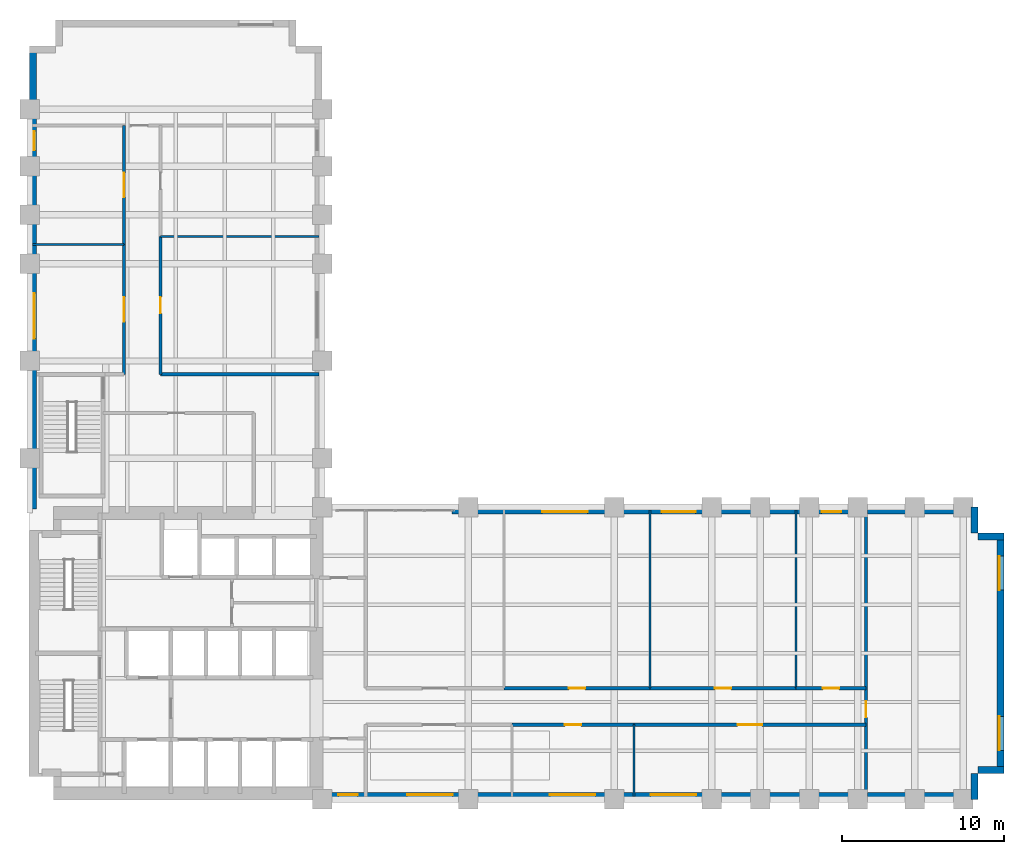
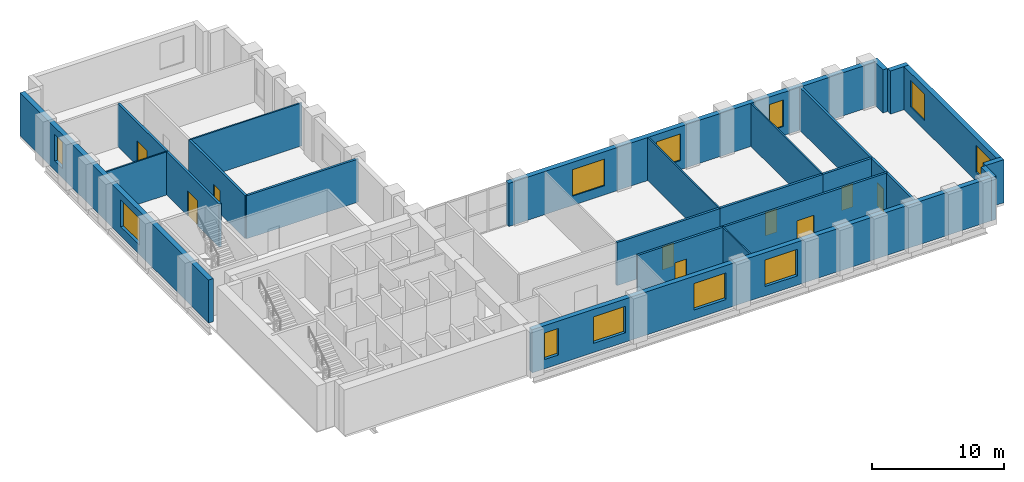
# One storey, part 6 of 8: 23 walls, 11 windows, 9 doors, 20 openings.
"""IFC4 building model written with IfcOpenShell, lengths in metres."""

from ifc_helpers import new_model, si_unit, direction, frame, frame_2d, origin, place, context, subcontext, project, spatial, rectangle, extrude, material, layer, layer_set, type_object, element, fill, save


model = new_model("IFC4")

# Units and contexts
model_context = context("Model", 3, precision=1e-05, world=origin(), true_north=direction((0.0, 1.0)))
body_context = subcontext(model_context, "Body", "Model", "MODEL_VIEW")
ifc_project = project(units=[si_unit("LENGTHUNIT", "METRE"), si_unit("AREAUNIT", "SQUARE_METRE"), si_unit("VOLUMEUNIT", "CUBIC_METRE"), si_unit("PLANEANGLEUNIT", "RADIAN"), si_unit("MASSUNIT", "GRAM", prefix="KILO")], contexts=[model_context])

# Site, building, storey
site_placement = place(None, origin())
site = spatial("IfcSite", under=ifc_project, at=site_placement, CompositionType="ELEMENT")
building_placement = place(site_placement, origin())
building = spatial("IfcBuilding", under=site, at=building_placement, Name="Mawjdan Bourse Tower", CompositionType="ELEMENT")
storey_placement = place(building_placement, frame((0.0, 0.0, 76.199951171875)))
storey = spatial("IfcBuildingStorey", under=building, at=storey_placement, Name="L17", CompositionType="ELEMENT", Elevation=76.199951171875)

# Wall, openings, windows
ifc_material_1 = material(Name="Brick Masonry Buff", Category="masonry")
ifc_layer_1 = layer(ifc_material_1, 0.419921875)
ifc_layer_set_1 = layer_set([ifc_layer_1], Name="Brick Masonry Buff")
wall_type_1 = type_object("IfcWallType", Name="WL-BRK-BUFF-420", PredefinedType="STANDARD", material=ifc_layer_set_1)
wall_1_placement = place(storey_placement, frame((23.89990234375, 3.2099609375, 0.0), z_axis=(0.0, 0.0, 1.0), x_axis=(1.0, 0.0, 0.0)))
wall_1 = element("IfcWall", 1, at=wall_1_placement, inside=storey, type_object=wall_type_1, Name="L17 Exterior Brick Wall 1", PredefinedType="STANDARD", context=body_context, shape_type="SweptSolid", body=[
    extrude(rectangle(XDim=40.5, YDim=0.419921875, at=frame_2d((20.25, 0.0))), origin(), (0.0, 0.0, 1.0), 3.97998046875),
])
opening_1_placement = place(wall_1_placement, frame((1.10009765625, 0.0, 0.85009765625)))
opening_1 = element("IfcOpeningElement", 2, at=opening_1_placement, cuts=wall_1, Name="Opening W-L17-07", PredefinedType="OPENING", context=body_context, shape_type="SweptSolid", body=[
    extrude(rectangle(XDim=1.199951171875, YDim=2.449951171875, at=frame_2d((0.60009765625, 1.22509765625))), frame((0.0, 0.219970703125, 0.0), z_axis=(0.0, -1.0, 0.0), x_axis=(1.0, 0.0, 0.0)), (0.0, 0.0, 1.0), 0.43994140625),
])
opening_2_placement = place(wall_1_placement, frame((5.336181640625, 0.0, 0.85009765625)))
opening_2 = element("IfcOpeningElement", 3, at=opening_2_placement, cuts=wall_1, Name="Opening W-L17-08", PredefinedType="OPENING", context=body_context, shape_type="SweptSolid", body=[
    extrude(rectangle(XDim=2.800048828125, YDim=2.449951171875, at=frame_2d((1.39990234375, 1.22509765625))), frame((0.0, 0.219970703125, 0.0), z_axis=(0.0, -1.0, 0.0), x_axis=(1.0, 0.0, 0.0)), (0.0, 0.0, 1.0), 0.43994140625),
])
opening_3_placement = place(wall_1_placement, frame((14.13623046875, 0.0, 0.85009765625)))
opening_3 = element("IfcOpeningElement", 4, at=opening_3_placement, cuts=wall_1, Name="Opening W-L17-09", PredefinedType="OPENING", context=body_context, shape_type="SweptSolid", body=[
    extrude(rectangle(XDim=2.800048828125, YDim=2.449951171875, at=frame_2d((1.39990234375, 1.22509765625))), frame((0.0, 0.219970703125, 0.0), z_axis=(0.0, -1.0, 0.0), x_axis=(1.0, 0.0, 0.0)), (0.0, 0.0, 1.0), 0.43994140625),
])
opening_4_placement = place(wall_1_placement, frame((20.336181640625, 0.0, 0.85009765625)))
opening_4 = element("IfcOpeningElement", 5, at=opening_4_placement, cuts=wall_1, Name="Opening W-L17-10", PredefinedType="OPENING", context=body_context, shape_type="SweptSolid", body=[
    extrude(rectangle(XDim=2.800048828125, YDim=2.449951171875, at=frame_2d((1.39990234375, 1.22509765625))), frame((0.0, 0.219970703125, 0.0), z_axis=(0.0, -1.0, 0.0), x_axis=(1.0, 0.0, 0.0)), (0.0, 0.0, 1.0), 0.43994140625),
])
ifc_material_2 = material(Name="Solar-Control Clear Double Glazing", Category="glass")
window_type_1 = type_object("IfcWindowType", Name="WN-TRD-1200", PartitioningType="SINGLE_PANEL", PredefinedType="WINDOW", material=ifc_material_2)
window_1_placement = place(opening_1_placement, origin())
window_1 = element("IfcWindow", 6, at=window_1_placement, inside=storey, type_object=window_type_1, Name="L17 Deep-Set Masonry Window W-L17-07", OverallHeight=2.449951171875, OverallWidth=1.199951171875, PartitioningType="SINGLE_PANEL", PredefinedType="WINDOW", context=body_context, shape_type="SweptSolid", body=[
    extrude(rectangle(XDim=1.199951171875, YDim=2.449951171875, at=frame_2d((0.60009765625, 1.22509765625))), frame((0.0, 0.110107421875, 0.0), z_axis=(0.0, -1.0, 0.0), x_axis=(1.0, 0.0, 0.0)), (0.0, 0.0, 1.0), 0.06005859375),
])
fill(opening_1, window_1)
window_type_2 = type_object("IfcWindowType", Name="WN-TRD-2800", PartitioningType="SINGLE_PANEL", PredefinedType="WINDOW", material=ifc_material_2)
window_2_placement = place(opening_2_placement, origin())
window_2 = element("IfcWindow", 7, at=window_2_placement, inside=storey, type_object=window_type_2, Name="L17 Deep-Set Masonry Window W-L17-08", OverallHeight=2.449951171875, OverallWidth=2.800048828125, PartitioningType="SINGLE_PANEL", PredefinedType="WINDOW", context=body_context, shape_type="SweptSolid", body=[
    extrude(rectangle(XDim=2.800048828125, YDim=2.449951171875, at=frame_2d((1.39990234375, 1.22509765625))), frame((0.0, 0.110107421875, 0.0), z_axis=(0.0, -1.0, 0.0), x_axis=(1.0, 0.0, 0.0)), (0.0, 0.0, 1.0), 0.06005859375),
])
fill(opening_2, window_2)
window_3_placement = place(opening_3_placement, origin())
window_3 = element("IfcWindow", 8, at=window_3_placement, inside=storey, type_object=window_type_2, Name="L17 Deep-Set Masonry Window W-L17-09", OverallHeight=2.449951171875, OverallWidth=2.800048828125, PartitioningType="SINGLE_PANEL", PredefinedType="WINDOW", context=body_context, shape_type="SweptSolid", body=[
    extrude(rectangle(XDim=2.800048828125, YDim=2.449951171875, at=frame_2d((1.39990234375, 1.22509765625))), frame((0.0, 0.110107421875, 0.0), z_axis=(0.0, -1.0, 0.0), x_axis=(1.0, 0.0, 0.0)), (0.0, 0.0, 1.0), 0.06005859375),
])
fill(opening_3, window_3)
window_4_placement = place(opening_4_placement, origin())
window_4 = element("IfcWindow", 9, at=window_4_placement, inside=storey, type_object=window_type_2, Name="L17 Deep-Set Masonry Window W-L17-10", OverallHeight=2.449951171875, OverallWidth=2.800048828125, PartitioningType="SINGLE_PANEL", PredefinedType="WINDOW", context=body_context, shape_type="SweptSolid", body=[
    extrude(rectangle(XDim=2.800048828125, YDim=2.449951171875, at=frame_2d((1.39990234375, 1.22509765625))), frame((0.0, 0.110107421875, 0.0), z_axis=(0.0, -1.0, 0.0), x_axis=(1.0, 0.0, 0.0)), (0.0, 0.0, 1.0), 0.06005859375),
])
fill(opening_4, window_4)

# Walls
for number, where, z_axis, x_axis, name in (
    (10, (64.18994140625, 3.0, 0.0), (0.0, 0.0, 1.0), (0.0, 1.0, 0.0), "L17 Exterior Brick Wall 2"),
    (11, (64.39990234375, 4.81005859375, 0.0), (0.0, 0.0, 1.0), (1.0, 0.0, 0.0), "L17 Exterior Brick Wall 3"),
):
    element("IfcWall", number, at=place(storey_placement, frame(where, z_axis=z_axis, x_axis=x_axis)), inside=storey, type_object=wall_type_1, Name=name, PredefinedType="STANDARD", context=body_context, shape_type="SweptSolid", body=[
        extrude(rectangle(XDim=1.60009765625, YDim=0.419921875, at=frame_2d((0.800048828125, 0.0))), origin(), (0.0, 0.0, 1.0), 3.97998046875),
    ])

# Wall, openings, windows
wall_2_placement = place(storey_placement, frame((65.7900390625, 4.60009765625, 0.0), z_axis=(0.0, 0.0, 1.0), x_axis=(0.0, 1.0, 0.0)))
wall_2 = element("IfcWall", 12, at=wall_2_placement, inside=storey, type_object=wall_type_1, Name="L17 Exterior Brick Wall 4", PredefinedType="STANDARD", context=body_context, shape_type="SweptSolid", body=[
    extrude(rectangle(XDim=14.7998046875, YDim=0.419921875, at=frame_2d((7.39990234375, 0.0))), origin(), (0.0, 0.0, 1.0), 3.97998046875),
])
opening_5_placement = place(wall_2_placement, frame((1.416748046875, 0.0, 0.85009765625)))
opening_5 = element("IfcOpeningElement", 13, at=opening_5_placement, cuts=wall_2, Name="Opening W-L17-01", PredefinedType="OPENING", context=body_context, shape_type="SweptSolid", body=[
    extrude(rectangle(XDim=2.10009765625, YDim=2.449951171875, at=frame_2d((1.050048828125, 1.22509765625))), frame((0.0, 0.219970703125, 0.0), z_axis=(0.0, -1.0, 0.0), x_axis=(1.0, 0.0, 0.0)), (0.0, 0.0, 1.0), 0.43994140625),
])
opening_6_placement = place(wall_2_placement, frame((11.283203125, 0.0, 0.85009765625)))
opening_6 = element("IfcOpeningElement", 14, at=opening_6_placement, cuts=wall_2, Name="Opening W-L17-02", PredefinedType="OPENING", context=body_context, shape_type="SweptSolid", body=[
    extrude(rectangle(XDim=2.10009765625, YDim=2.449951171875, at=frame_2d((1.050048828125, 1.22509765625))), frame((0.0, 0.219970703125, 0.0), z_axis=(0.0, -1.0, 0.0), x_axis=(1.0, 0.0, 0.0)), (0.0, 0.0, 1.0), 0.43994140625),
])
window_type_3 = type_object("IfcWindowType", Name="WN-TRD-2100", PartitioningType="SINGLE_PANEL", PredefinedType="WINDOW", material=ifc_material_2)
window_5_placement = place(opening_5_placement, origin())
window_5 = element("IfcWindow", 15, at=window_5_placement, inside=storey, type_object=window_type_3, Name="L17 Deep-Set Masonry Window W-L17-01", OverallHeight=2.449951171875, OverallWidth=2.10009765625, PartitioningType="SINGLE_PANEL", PredefinedType="WINDOW", context=body_context, shape_type="SweptSolid", body=[
    extrude(rectangle(XDim=2.10009765625, YDim=2.449951171875, at=frame_2d((1.050048828125, 1.22509765625))), frame((0.0, 0.110107421875, 0.0), z_axis=(0.0, -1.0, 0.0), x_axis=(1.0, 0.0, 0.0)), (0.0, 0.0, 1.0), 0.06005859375),
])
fill(opening_5, window_5)
window_6_placement = place(opening_6_placement, origin())
window_6 = element("IfcWindow", 16, at=window_6_placement, inside=storey, type_object=window_type_3, Name="L17 Deep-Set Masonry Window W-L17-02", OverallHeight=2.449951171875, OverallWidth=2.10009765625, PartitioningType="SINGLE_PANEL", PredefinedType="WINDOW", context=body_context, shape_type="SweptSolid", body=[
    extrude(rectangle(XDim=2.10009765625, YDim=2.449951171875, at=frame_2d((1.050048828125, 1.22509765625))), frame((0.0, 0.110107421875, 0.0), z_axis=(0.0, -1.0, 0.0), x_axis=(1.0, 0.0, 0.0)), (0.0, 0.0, 1.0), 0.06005859375),
])
fill(opening_6, window_6)

# Walls
for number, where, z_axis, x_axis, name in (
    (17, (66.0, 19.18994140625, 0.0), (0.0, 0.0, 1.0), (-1.0, 0.0, 0.0), "L17 Exterior Brick Wall 5"),
    (18, (64.18994140625, 19.39990234375, 0.0), (0.0, 0.0, 1.0), (0.0, 1.0, 0.0), "L17 Exterior Brick Wall 6"),
):
    element("IfcWall", number, at=place(storey_placement, frame(where, z_axis=z_axis, x_axis=x_axis)), inside=storey, type_object=wall_type_1, Name=name, PredefinedType="STANDARD", context=body_context, shape_type="SweptSolid", body=[
        extrude(rectangle(XDim=1.60009765625, YDim=0.419921875, at=frame_2d((0.800048828125, 0.0))), origin(), (0.0, 0.0, 1.0), 3.97998046875),
    ])

# Wall, openings, windows
wall_3_placement = place(storey_placement, frame((64.39990234375, 20.7900390625, 0.0), z_axis=(0.0, 0.0, 1.0), x_axis=(-1.0, 0.0, 0.0)))
wall_3 = element("IfcWall", 19, at=wall_3_placement, inside=storey, type_object=wall_type_1, Name="L17 Exterior Brick Wall 7A", PredefinedType="STANDARD", context=body_context, shape_type="SweptSolid", body=[
    extrude(rectangle(XDim=32.3798828125, YDim=0.419921875, at=frame_2d((16.18994140625, 0.0))), origin(), (0.0, 0.0, 1.0), 3.97998046875),
])
opening_7_placement = place(wall_3_placement, frame((24.04150390625, 0.0, 0.85009765625)))
opening_7 = element("IfcOpeningElement", 20, at=opening_7_placement, cuts=wall_3, Name="Opening W-L17-03", PredefinedType="OPENING", context=body_context, shape_type="SweptSolid", body=[
    extrude(rectangle(XDim=2.800048828125, YDim=2.449951171875, at=frame_2d((1.39990234375, 1.22509765625))), frame((0.0, 0.219970703125, 0.0), z_axis=(0.0, -1.0, 0.0), x_axis=(1.0, 0.0, 0.0)), (0.0, 0.0, 1.0), 0.43994140625),
])
opening_8_placement = place(wall_3_placement, frame((17.38623046875, 0.0, 0.85009765625)))
opening_8 = element("IfcOpeningElement", 21, at=opening_8_placement, cuts=wall_3, Name="Opening W-L17-11", PredefinedType="OPENING", context=body_context, shape_type="SweptSolid", body=[
    extrude(rectangle(XDim=2.10009765625, YDim=2.449951171875, at=frame_2d((1.050048828125, 1.22509765625))), frame((0.0, 0.219970703125, 0.0), z_axis=(0.0, -1.0, 0.0), x_axis=(1.0, 0.0, 0.0)), (0.0, 0.0, 1.0), 0.43994140625),
])
opening_9_placement = place(wall_3_placement, frame((8.436279296875, 0.0, 0.85009765625)))
opening_9 = element("IfcOpeningElement", 22, at=opening_9_placement, cuts=wall_3, Name="Opening W-L17-12", PredefinedType="OPENING", context=body_context, shape_type="SweptSolid", body=[
    extrude(rectangle(XDim=1.199951171875, YDim=2.449951171875, at=frame_2d((0.60009765625, 1.22509765625))), frame((0.0, 0.219970703125, 0.0), z_axis=(0.0, -1.0, 0.0), x_axis=(1.0, 0.0, 0.0)), (0.0, 0.0, 1.0), 0.43994140625),
])
window_7_placement = place(opening_9_placement, origin())
window_7 = element("IfcWindow", 23, at=window_7_placement, inside=storey, type_object=window_type_1, Name="L17 Deep-Set Masonry Window W-L17-12", OverallHeight=2.449951171875, OverallWidth=1.199951171875, PartitioningType="SINGLE_PANEL", PredefinedType="WINDOW", context=body_context, shape_type="SweptSolid", body=[
    extrude(rectangle(XDim=1.199951171875, YDim=2.449951171875, at=frame_2d((0.60009765625, 1.22509765625))), frame((0.0, 0.110107421875, 0.0), z_axis=(0.0, -1.0, 0.0), x_axis=(1.0, 0.0, 0.0)), (0.0, 0.0, 1.0), 0.06005859375),
])
fill(opening_9, window_7)
window_8_placement = place(opening_8_placement, origin())
window_8 = element("IfcWindow", 24, at=window_8_placement, inside=storey, type_object=window_type_3, Name="L17 Deep-Set Masonry Window W-L17-11", OverallHeight=2.449951171875, OverallWidth=2.10009765625, PartitioningType="SINGLE_PANEL", PredefinedType="WINDOW", context=body_context, shape_type="SweptSolid", body=[
    extrude(rectangle(XDim=2.10009765625, YDim=2.449951171875, at=frame_2d((1.050048828125, 1.22509765625))), frame((0.0, 0.110107421875, 0.0), z_axis=(0.0, -1.0, 0.0), x_axis=(1.0, 0.0, 0.0)), (0.0, 0.0, 1.0), 0.06005859375),
])
fill(opening_8, window_8)
window_9_placement = place(opening_7_placement, origin())
window_9 = element("IfcWindow", 25, at=window_9_placement, inside=storey, type_object=window_type_2, Name="L17 Deep-Set Masonry Window W-L17-03", OverallHeight=2.449951171875, OverallWidth=2.800048828125, PartitioningType="SINGLE_PANEL", PredefinedType="WINDOW", context=body_context, shape_type="SweptSolid", body=[
    extrude(rectangle(XDim=2.800048828125, YDim=2.449951171875, at=frame_2d((1.39990234375, 1.22509765625))), frame((0.0, 0.110107421875, 0.0), z_axis=(0.0, -1.0, 0.0), x_axis=(1.0, 0.0, 0.0)), (0.0, 0.0, 1.0), 0.06005859375),
])
fill(opening_7, window_9)

wall_4_placement = place(storey_placement, frame((6.2099609375, 49.39990234375, 0.0), z_axis=(0.0, 0.0, 1.0), x_axis=(0.0, -1.0, 0.0)))
wall_4 = element("IfcWall", 26, at=wall_4_placement, inside=storey, type_object=wall_type_1, Name="L17 Exterior Brick Wall 14", PredefinedType="STANDARD", context=body_context, shape_type="SweptSolid", body=[
    extrude(rectangle(XDim=28.5, YDim=0.419921875, at=frame_2d((14.25, 0.0))), origin(), (0.0, 0.0, 1.0), 3.97998046875),
])
opening_10_placement = place(wall_4_placement, frame((15.22509765625, 0.0, 0.85009765625)))
opening_10 = element("IfcOpeningElement", 27, at=opening_10_placement, cuts=wall_4, Name="Opening W-L17-06", PredefinedType="OPENING", context=body_context, shape_type="SweptSolid", body=[
    extrude(rectangle(XDim=2.800048828125, YDim=2.449951171875, at=frame_2d((1.39990234375, 1.22509765625))), frame((0.0, 0.219970703125, 0.0), z_axis=(0.0, -1.0, 0.0), x_axis=(1.0, 0.0, 0.0)), (0.0, 0.0, 1.0), 0.43994140625),
])
opening_11_placement = place(wall_4_placement, frame((5.236083984375, 0.0, 0.85009765625)))
opening_11 = element("IfcOpeningElement", 28, at=opening_11_placement, cuts=wall_4, Name="Opening W-L17-13", PredefinedType="OPENING", context=body_context, shape_type="SweptSolid", body=[
    extrude(rectangle(XDim=1.199951171875, YDim=2.449951171875, at=frame_2d((0.60009765625, 1.22509765625))), frame((0.0, 0.219970703125, 0.0), z_axis=(0.0, -1.0, 0.0), x_axis=(1.0, 0.0, 0.0)), (0.0, 0.0, 1.0), 0.43994140625),
])
window_10_placement = place(opening_11_placement, origin())
window_10 = element("IfcWindow", 29, at=window_10_placement, inside=storey, type_object=window_type_1, Name="L17 Deep-Set Masonry Window W-L17-13", OverallHeight=2.449951171875, OverallWidth=1.199951171875, PartitioningType="SINGLE_PANEL", PredefinedType="WINDOW", context=body_context, shape_type="SweptSolid", body=[
    extrude(rectangle(XDim=1.199951171875, YDim=2.449951171875, at=frame_2d((0.60009765625, 1.22509765625))), frame((0.0, 0.110107421875, 0.0), z_axis=(0.0, -1.0, 0.0), x_axis=(1.0, 0.0, 0.0)), (0.0, 0.0, 1.0), 0.06005859375),
])
fill(opening_11, window_10)
window_11_placement = place(opening_10_placement, origin())
window_11 = element("IfcWindow", 30, at=window_11_placement, inside=storey, type_object=window_type_2, Name="L17 Deep-Set Masonry Window W-L17-06", OverallHeight=2.449951171875, OverallWidth=2.800048828125, PartitioningType="SINGLE_PANEL", PredefinedType="WINDOW", context=body_context, shape_type="SweptSolid", body=[
    extrude(rectangle(XDim=2.800048828125, YDim=2.449951171875, at=frame_2d((1.39990234375, 1.22509765625))), frame((0.0, 0.110107421875, 0.0), z_axis=(0.0, -1.0, 0.0), x_axis=(1.0, 0.0, 0.0)), (0.0, 0.0, 1.0), 0.06005859375),
])
fill(opening_10, window_11)

# Wall, opening, door
ifc_material_3 = material(Name="Gypsum Fireboard Assembly")
ifc_layer_2 = layer(ifc_material_3, 0.199951171875)
ifc_layer_set_2 = layer_set([ifc_layer_2], Name="Gypsum Fireboard Assembly")
wall_type_2 = type_object("IfcWallType", Name="WL-CMP-200", PredefinedType="PARTITIONING", material=ifc_layer_set_2)
wall_5_placement = place(storey_placement, frame((35.699951171875, 7.60009765625, 0.0), z_axis=(0.0, 0.0, 1.0), x_axis=(1.0, 0.0, 0.0)))
wall_5 = element("IfcWall", 31, at=wall_5_placement, inside=storey, type_object=wall_type_2, Name="L17 FX Treasury Suite Corridor Wall", PredefinedType="PARTITIONING", context=body_context, shape_type="SweptSolid", body=[
    extrude(rectangle(XDim=7.5, YDim=0.199951171875, at=frame_2d((3.75, 0.0))), origin(), (0.0, 0.0, 1.0), 3.969970703125),
])
opening_12_placement = place(wall_5_placement, frame((3.25, 0.0, 0.0)))
opening_12 = element("IfcOpeningElement", 32, at=opening_12_placement, cuts=wall_5, Name="Opening D-L17-20", PredefinedType="OPENING", context=body_context, shape_type="SweptSolid", body=[
    extrude(rectangle(XDim=1.0, YDim=2.14990234375, at=frame_2d((0.5, 1.074951171875))), frame((0.0, 0.10986328125, 0.0), z_axis=(0.0, -1.0, 0.0), x_axis=(1.0, 0.0, 0.0)), (0.0, 0.0, 1.0), 0.219970703125),
])
ifc_material_4 = material(Name="Hardwood Acoustic Leaf", Category="wood")
door_type_1 = type_object("IfcDoorType", Name="DR-OFC-1000", OperationType="NOTDEFINED", PredefinedType="DOOR", material=ifc_material_4)
door_1_placement = place(opening_12_placement, origin())
door_1 = element("IfcDoor", 33, at=door_1_placement, inside=storey, type_object=door_type_1, Name="L17 FX Treasury Suite Door D-L17-20", OperationType="SINGLE_SWING_LEFT", OverallHeight=2.14990234375, OverallWidth=1.0, PredefinedType="DOOR", context=body_context, shape_type="SweptSolid", body=[
    extrude(rectangle(XDim=1.0, YDim=2.14990234375, at=frame_2d((0.5, 1.074951171875))), frame((0.0, 0.02490234375, 0.0), z_axis=(0.0, -1.0, 0.0), x_axis=(1.0, 0.0, 0.0)), (0.0, 0.0, 1.0), 0.050048828125),
])
fill(opening_12, door_1)

wall_6_placement = place(storey_placement, frame((43.199951171875, 7.60009765625, 0.0), z_axis=(0.0, 0.0, 1.0), x_axis=(1.0, 0.0, 0.0)))
wall_6 = element("IfcWall", 34, at=wall_6_placement, inside=storey, type_object=wall_type_2, Name="L17 Conference Room Corridor Wall", PredefinedType="PARTITIONING", context=body_context, shape_type="SweptSolid", body=[
    extrude(rectangle(XDim=14.300048828125, YDim=0.199951171875, at=frame_2d((7.14990234375, 0.0))), origin(), (0.0, 0.0, 1.0), 3.969970703125),
])
opening_13_placement = place(wall_6_placement, frame((6.39990234375, 0.0, 0.0)))
opening_13 = element("IfcOpeningElement", 35, at=opening_13_placement, cuts=wall_6, Name="Opening D-L17-21", PredefinedType="OPENING", context=body_context, shape_type="SweptSolid", body=[
    extrude(rectangle(XDim=1.5, YDim=2.300048828125, at=frame_2d((0.75, 1.14990234375))), frame((0.0, 0.10986328125, 0.0), z_axis=(0.0, -1.0, 0.0), x_axis=(1.0, 0.0, 0.0)), (0.0, 0.0, 1.0), 0.219970703125),
])
ifc_material_5 = material(Name="Acoustic Glazed Timber", Category="wood")
door_type_2 = type_object("IfcDoorType", Name="DR-CNF-1500", OperationType="DOUBLE_DOOR_SINGLE_SWING", PredefinedType="DOOR", material=ifc_material_5)
door_2_placement = place(opening_13_placement, origin())
door_2 = element("IfcDoor", 36, at=door_2_placement, inside=storey, type_object=door_type_2, Name="L17 Conference Room Door D-L17-21", OperationType="DOUBLE_DOOR_SINGLE_SWING", OverallHeight=2.300048828125, OverallWidth=1.5, PredefinedType="DOOR", context=body_context, shape_type="SweptSolid", body=[
    extrude(rectangle(XDim=1.5, YDim=2.300048828125, at=frame_2d((0.75, 1.14990234375))), frame((0.0, 0.02490234375, 0.0), z_axis=(0.0, -1.0, 0.0), x_axis=(1.0, 0.0, 0.0)), (0.0, 0.0, 1.0), 0.050048828125),
])
fill(opening_13, door_2)

wall_7_placement = place(storey_placement, frame((35.199951171875, 9.85009765625, 0.0), z_axis=(0.0, 0.0, 1.0), x_axis=(1.0, 0.0, 0.0)))
wall_7 = element("IfcWall", 37, at=wall_7_placement, inside=storey, type_object=wall_type_2, Name="L17 Executive Office Corridor Wall", PredefinedType="PARTITIONING", context=body_context, shape_type="SweptSolid", body=[
    extrude(rectangle(XDim=9.0, YDim=0.199951171875, at=frame_2d((4.5, 0.0))), origin(), (0.0, 0.0, 1.0), 3.969970703125),
])
opening_14_placement = place(wall_7_placement, frame((4.0, 0.0, 0.0)))
opening_14 = element("IfcOpeningElement", 38, at=opening_14_placement, cuts=wall_7, Name="Opening D-L17-23", PredefinedType="OPENING", context=body_context, shape_type="SweptSolid", body=[
    extrude(rectangle(XDim=1.0, YDim=2.14990234375, at=frame_2d((0.5, 1.074951171875))), frame((0.0, 0.10986328125, 0.0), z_axis=(0.0, -1.0, 0.0), x_axis=(1.0, 0.0, 0.0)), (0.0, 0.0, 1.0), 0.219970703125),
])
door_3_placement = place(opening_14_placement, origin())
door_3 = element("IfcDoor", 39, at=door_3_placement, inside=storey, type_object=door_type_1, Name="L17 Executive Office Door D-L17-23", OperationType="SINGLE_SWING_RIGHT", OverallHeight=2.14990234375, OverallWidth=1.0, PredefinedType="DOOR", context=body_context, shape_type="SweptSolid", body=[
    extrude(rectangle(XDim=1.0, YDim=2.14990234375, at=frame_2d((0.5, 1.074951171875))), frame((0.0, 0.02490234375, 0.0), z_axis=(0.0, -1.0, 0.0), x_axis=(1.0, 0.0, 0.0)), (0.0, 0.0, 1.0), 0.050048828125),
])
fill(opening_14, door_3)

wall_8_placement = place(storey_placement, frame((44.199951171875, 9.85009765625, 0.0), z_axis=(0.0, 0.0, 1.0), x_axis=(1.0, 0.0, 0.0)))
wall_8 = element("IfcWall", 40, at=wall_8_placement, inside=storey, type_object=wall_type_2, Name="L17 Research Library Corridor Wall", PredefinedType="PARTITIONING", context=body_context, shape_type="SweptSolid", body=[
    extrude(rectangle(XDim=9.0, YDim=0.199951171875, at=frame_2d((4.5, 0.0))), origin(), (0.0, 0.0, 1.0), 3.969970703125),
])
opening_15_placement = place(wall_8_placement, frame((4.0, 0.0, 0.0)))
opening_15 = element("IfcOpeningElement", 41, at=opening_15_placement, cuts=wall_8, Name="Opening D-L17-24", PredefinedType="OPENING", context=body_context, shape_type="SweptSolid", body=[
    extrude(rectangle(XDim=1.0, YDim=2.14990234375, at=frame_2d((0.5, 1.074951171875))), frame((0.0, 0.10986328125, 0.0), z_axis=(0.0, -1.0, 0.0), x_axis=(1.0, 0.0, 0.0)), (0.0, 0.0, 1.0), 0.219970703125),
])
door_4_placement = place(opening_15_placement, origin())
door_4 = element("IfcDoor", 42, at=door_4_placement, inside=storey, type_object=door_type_1, Name="L17 Research Library Door D-L17-24", OperationType="SINGLE_SWING_LEFT", OverallHeight=2.14990234375, OverallWidth=1.0, PredefinedType="DOOR", context=body_context, shape_type="SweptSolid", body=[
    extrude(rectangle(XDim=1.0, YDim=2.14990234375, at=frame_2d((0.5, 1.074951171875))), frame((0.0, 0.02490234375, 0.0), z_axis=(0.0, -1.0, 0.0), x_axis=(1.0, 0.0, 0.0)), (0.0, 0.0, 1.0), 0.050048828125),
])
fill(opening_15, door_4)

wall_9_placement = place(storey_placement, frame((53.199951171875, 9.85009765625, 0.0), z_axis=(0.0, 0.0, 1.0), x_axis=(1.0, 0.0, 0.0)))
wall_9 = element("IfcWall", 43, at=wall_9_placement, inside=storey, type_object=wall_type_2, Name="L17 Client Reception Room Corridor Wall", PredefinedType="PARTITIONING", context=body_context, shape_type="SweptSolid", body=[
    extrude(rectangle(XDim=4.300048828125, YDim=0.199951171875, at=frame_2d((2.14990234375, 0.0))), origin(), (0.0, 0.0, 1.0), 3.969970703125),
])
opening_16_placement = place(wall_9_placement, frame((1.64990234375, 0.0, 0.0)))
opening_16 = element("IfcOpeningElement", 44, at=opening_16_placement, cuts=wall_9, Name="Opening D-L17-25", PredefinedType="OPENING", context=body_context, shape_type="SweptSolid", body=[
    extrude(rectangle(XDim=1.0, YDim=2.14990234375, at=frame_2d((0.5, 1.074951171875))), frame((0.0, 0.10986328125, 0.0), z_axis=(0.0, -1.0, 0.0), x_axis=(1.0, 0.0, 0.0)), (0.0, 0.0, 1.0), 0.219970703125),
])
door_5_placement = place(opening_16_placement, origin())
door_5 = element("IfcDoor", 45, at=door_5_placement, inside=storey, type_object=door_type_1, Name="L17 Client Reception Room Door D-L17-25", OperationType="SINGLE_SWING_RIGHT", OverallHeight=2.14990234375, OverallWidth=1.0, PredefinedType="DOOR", context=body_context, shape_type="SweptSolid", body=[
    extrude(rectangle(XDim=1.0, YDim=2.14990234375, at=frame_2d((0.5, 1.074951171875))), frame((0.0, 0.02490234375, 0.0), z_axis=(0.0, -1.0, 0.0), x_axis=(1.0, 0.0, 0.0)), (0.0, 0.0, 1.0), 0.050048828125),
])
fill(opening_16, door_5)

wall_10_placement = place(storey_placement, frame((57.5, 3.179931640625, 0.0), z_axis=(0.0, 0.0, 1.0), x_axis=(0.0, 1.0, 0.0)))
wall_10 = element("IfcWall", 46, at=wall_10_placement, inside=storey, type_object=wall_type_2, Name="L17 East Tip Full Cross Wall", PredefinedType="PARTITIONING", context=body_context, shape_type="SweptSolid", body=[
    extrude(rectangle(XDim=17.64013671875, YDim=0.199951171875, at=frame_2d((8.820068359375, 0.0))), origin(), (0.0, 0.0, 1.0), 3.969970703125),
])
opening_17_placement = place(wall_10_placement, frame((4.875, 0.0, 0.0)))
opening_17 = element("IfcOpeningElement", 47, at=opening_17_placement, cuts=wall_10, Name="Opening D-L17-26", PredefinedType="OPENING", context=body_context, shape_type="SweptSolid", body=[
    extrude(rectangle(XDim=1.0, YDim=2.14990234375, at=frame_2d((0.5, 1.074951171875))), frame((0.0, 0.10986328125, 0.0), z_axis=(0.0, -1.0, 0.0), x_axis=(1.0, 0.0, 0.0)), (0.0, 0.0, 1.0), 0.219970703125),
])
door_6_placement = place(opening_17_placement, origin())
door_6 = element("IfcDoor", 48, at=door_6_placement, inside=storey, type_object=door_type_1, Name="L17 East Tip Hall Door D-L17-26", OperationType="SINGLE_SWING_LEFT", OverallHeight=2.14990234375, OverallWidth=1.0, PredefinedType="DOOR", context=body_context, shape_type="SweptSolid", body=[
    extrude(rectangle(XDim=1.0, YDim=2.14990234375, at=frame_2d((0.5, 1.074951171875))), frame((0.0, 0.02490234375, 0.0), z_axis=(0.0, -1.0, 0.0), x_axis=(1.0, 0.0, 0.0)), (0.0, 0.0, 1.0), 0.050048828125),
])
fill(opening_17, door_6)

# Wall
wall_11_placement = place(storey_placement, frame((14.050048828125, 29.179931640625, 0.0), z_axis=(0.0, 0.0, 1.0), x_axis=(1.0, 0.0, 0.0)))
element("IfcWall", 49, at=wall_11_placement, inside=storey, type_object=wall_type_2, Name="L17 North East Band South Wall", PredefinedType="PARTITIONING", context=body_context, shape_type="SweptSolid", body=[
    extrude(rectangle(XDim=9.77001953125, YDim=0.199951171875, at=frame_2d((4.885009765625, 0.0))), origin(), (0.0, 0.0, 1.0), 3.969970703125),
])

# Wall, opening, door
wall_12_placement = place(storey_placement, frame((11.800048828125, 29.179931640625, 0.0), z_axis=(0.0, 0.0, 1.0), x_axis=(0.0, 1.0, 0.0)))
wall_12 = element("IfcWall", 50, at=wall_12_placement, inside=storey, type_object=wall_type_2, Name="L17 FX Treasury Suite Corridor Wall", PredefinedType="PARTITIONING", context=body_context, shape_type="SweptSolid", body=[
    extrude(rectangle(XDim=8.0, YDim=0.199951171875, at=frame_2d((4.0, 0.0))), origin(), (0.0, 0.0, 1.0), 3.969970703125),
])
opening_18_placement = place(wall_12_placement, frame((3.25, 0.0, 0.0)))
opening_18 = element("IfcOpeningElement", 51, at=opening_18_placement, cuts=wall_12, Name="Opening D-L17-28", PredefinedType="OPENING", context=body_context, shape_type="SweptSolid", body=[
    extrude(rectangle(XDim=1.5, YDim=2.300048828125, at=frame_2d((0.75, 1.14990234375))), frame((0.0, 0.10986328125, 0.0), z_axis=(0.0, -1.0, 0.0), x_axis=(1.0, 0.0, 0.0)), (0.0, 0.0, 1.0), 0.219970703125),
])
door_7_placement = place(opening_18_placement, origin())
door_7 = element("IfcDoor", 52, at=door_7_placement, inside=storey, type_object=door_type_2, Name="L17 FX Treasury Suite Door D-L17-28", OperationType="DOUBLE_DOOR_SINGLE_SWING", OverallHeight=2.300048828125, OverallWidth=1.5, PredefinedType="DOOR", context=body_context, shape_type="SweptSolid", body=[
    extrude(rectangle(XDim=1.5, YDim=2.300048828125, at=frame_2d((0.75, 1.14990234375))), frame((0.0, 0.02490234375, 0.0), z_axis=(0.0, -1.0, 0.0), x_axis=(1.0, 0.0, 0.0)), (0.0, 0.0, 1.0), 0.050048828125),
])
fill(opening_18, door_7)

wall_13_placement = place(storey_placement, frame((11.800048828125, 37.179931640625, 0.0), z_axis=(0.0, 0.0, 1.0), x_axis=(0.0, 1.0, 0.0)))
wall_13 = element("IfcWall", 53, at=wall_13_placement, inside=storey, type_object=wall_type_2, Name="L17 Conference Room Corridor Wall", PredefinedType="PARTITIONING", context=body_context, shape_type="SweptSolid", body=[
    extrude(rectangle(XDim=7.320068359375, YDim=0.199951171875, at=frame_2d((3.66015625, 0.0))), origin(), (0.0, 0.0, 1.0), 3.969970703125),
])
opening_19_placement = place(wall_13_placement, frame((2.909912109375, 0.0, 0.0)))
opening_19 = element("IfcOpeningElement", 54, at=opening_19_placement, cuts=wall_13, Name="Opening D-L17-29", PredefinedType="OPENING", context=body_context, shape_type="SweptSolid", body=[
    extrude(rectangle(XDim=1.5, YDim=2.300048828125, at=frame_2d((0.75, 1.14990234375))), frame((0.0, 0.10986328125, 0.0), z_axis=(0.0, -1.0, 0.0), x_axis=(1.0, 0.0, 0.0)), (0.0, 0.0, 1.0), 0.219970703125),
])
door_8_placement = place(opening_19_placement, origin())
door_8 = element("IfcDoor", 55, at=door_8_placement, inside=storey, type_object=door_type_2, Name="L17 Conference Room Door D-L17-29", OperationType="DOUBLE_DOOR_SINGLE_SWING", OverallHeight=2.300048828125, OverallWidth=1.5, PredefinedType="DOOR", context=body_context, shape_type="SweptSolid", body=[
    extrude(rectangle(XDim=1.5, YDim=2.300048828125, at=frame_2d((0.75, 1.14990234375))), frame((0.0, 0.02490234375, 0.0), z_axis=(0.0, -1.0, 0.0), x_axis=(1.0, 0.0, 0.0)), (0.0, 0.0, 1.0), 0.050048828125),
])
fill(opening_19, door_8)

wall_14_placement = place(storey_placement, frame((14.050048828125, 29.179931640625, 0.0), z_axis=(0.0, 0.0, 1.0), x_axis=(0.0, 1.0, 0.0)))
wall_14 = element("IfcWall", 56, at=wall_14_placement, inside=storey, type_object=wall_type_2, Name="L17 Executive Office Corridor Wall", PredefinedType="PARTITIONING", context=body_context, shape_type="SweptSolid", body=[
    extrude(rectangle(XDim=8.5, YDim=0.199951171875, at=frame_2d((4.25, 0.0))), origin(), (0.0, 0.0, 1.0), 3.969970703125),
])
opening_20_placement = place(wall_14_placement, frame((3.75, 0.0, 0.0)))
opening_20 = element("IfcOpeningElement", 57, at=opening_20_placement, cuts=wall_14, Name="Opening D-L17-30", PredefinedType="OPENING", context=body_context, shape_type="SweptSolid", body=[
    extrude(rectangle(XDim=1.0, YDim=2.14990234375, at=frame_2d((0.5, 1.074951171875))), frame((0.0, 0.10986328125, 0.0), z_axis=(0.0, -1.0, 0.0), x_axis=(1.0, 0.0, 0.0)), (0.0, 0.0, 1.0), 0.219970703125),
])
door_9_placement = place(opening_20_placement, origin())
door_9 = element("IfcDoor", 58, at=door_9_placement, inside=storey, type_object=door_type_1, Name="L17 Executive Office Door D-L17-30", OperationType="SINGLE_SWING_LEFT", OverallHeight=2.14990234375, OverallWidth=1.0, PredefinedType="DOOR", context=body_context, shape_type="SweptSolid", body=[
    extrude(rectangle(XDim=1.0, YDim=2.14990234375, at=frame_2d((0.5, 1.074951171875))), frame((0.0, 0.02490234375, 0.0), z_axis=(0.0, -1.0, 0.0), x_axis=(1.0, 0.0, 0.0)), (0.0, 0.0, 1.0), 0.050048828125),
])
fill(opening_20, door_9)

# Walls
ifc_material_6 = material(Name="Gypsum Partition")
ifc_layer_3 = layer(ifc_material_6, 0.125)
ifc_layer_set_3 = layer_set([ifc_layer_3], Name="Gypsum Partition")
wall_type_3 = type_object("IfcWallType", Name="WL-PRT-125", PredefinedType="PARTITIONING", material=ifc_layer_set_3)
wall_15_placement = place(storey_placement, frame((43.199951171875, 3.179931640625, 0.0), z_axis=(0.0, 0.0, 1.0), x_axis=(0.0, 1.0, 0.0)))
element("IfcWall", 59, at=wall_15_placement, inside=storey, type_object=wall_type_3, Name="L17 Conference Room Partition", PredefinedType="PARTITIONING", context=body_context, shape_type="SweptSolid", body=[
    extrude(rectangle(XDim=4.420166015625, YDim=0.125, at=frame_2d((2.2099609375, 0.0))), origin(), (0.0, 0.0, 1.0), 3.969970703125),
])
for number, where, z_axis, x_axis, name in (
    (60, (44.199951171875, 9.85009765625, 0.0), (0.0, 0.0, 1.0), (0.0, 1.0, 0.0), "L17 Research Library Partition"),
    (61, (53.199951171875, 9.85009765625, 0.0), (0.0, 0.0, 1.0), (0.0, 1.0, 0.0), "L17 Client Reception Room Partition"),
):
    element("IfcWall", number, at=place(storey_placement, frame(where, z_axis=z_axis, x_axis=x_axis)), inside=storey, type_object=wall_type_3, Name=name, PredefinedType="PARTITIONING", context=body_context, shape_type="SweptSolid", body=[
        extrude(rectangle(XDim=10.969970703125, YDim=0.125, at=frame_2d((5.48486328125, 0.0))), origin(), (0.0, 0.0, 1.0), 3.969970703125),
    ])
wall_16_placement = place(storey_placement, frame((6.179931640625, 37.179931640625, 0.0), z_axis=(0.0, 0.0, 1.0), x_axis=(1.0, 0.0, 0.0)))
element("IfcWall", 62, at=wall_16_placement, inside=storey, type_object=wall_type_3, Name="L17 Conference Room Partition", PredefinedType="PARTITIONING", context=body_context, shape_type="SweptSolid", body=[
    extrude(rectangle(XDim=5.6201171875, YDim=0.125, at=frame_2d((2.81005859375, 0.0))), origin(), (0.0, 0.0, 1.0), 3.969970703125),
])
wall_17_placement = place(storey_placement, frame((14.050048828125, 37.679931640625, 0.0), z_axis=(0.0, 0.0, 1.0), x_axis=(1.0, 0.0, 0.0)))
element("IfcWall", 63, at=wall_17_placement, inside=storey, type_object=wall_type_3, Name="L17 Research Library Partition", PredefinedType="PARTITIONING", context=body_context, shape_type="SweptSolid", body=[
    extrude(rectangle(XDim=9.77001953125, YDim=0.125, at=frame_2d((4.885009765625, 0.0))), origin(), (0.0, 0.0, 1.0), 3.969970703125),
])

save(model, "model.ifc")
